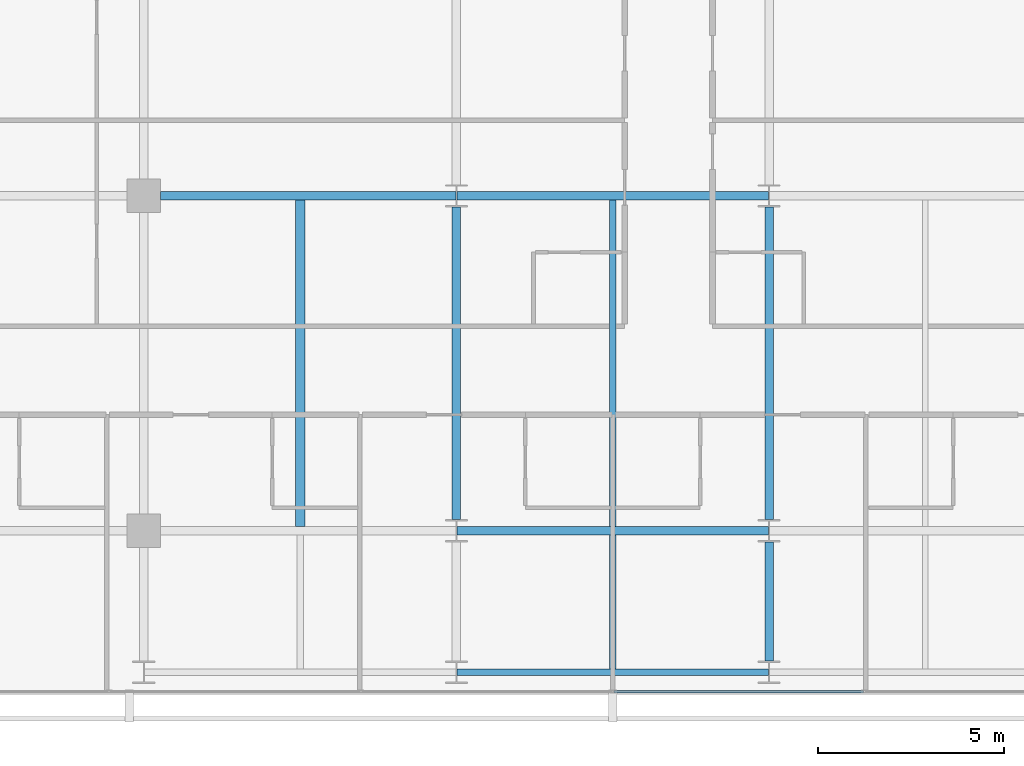
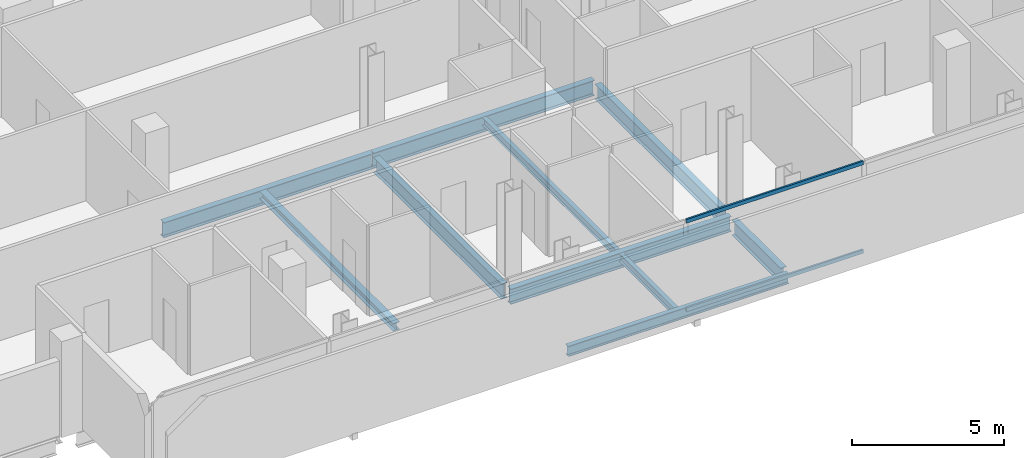
# One storey, part 7 of 33: 10 beams, 2 members, 1 element without a shape of its own.
"""IFC4 building model written with IfcOpenShell, lengths in metres."""

from ifc_helpers import new_model, si_unit, direction, frame, origin, origin_2d, place, context, subcontext, project, spatial, hollow_rectangle, i_section, extrude, material, layer, layer_set, material_profile, profile_set, type_object, element, aggregate, save


model = new_model("IFC4")

# Units and contexts
model_context = context("Model", 3, precision=1e-05, world=origin(), true_north=direction((0.0, 1.0)))
body_context = subcontext(model_context, "Body", "Model", "MODEL_VIEW")
ifc_project = project(units=[si_unit("LENGTHUNIT", "METRE"), si_unit("AREAUNIT", "SQUARE_METRE"), si_unit("VOLUMEUNIT", "CUBIC_METRE"), si_unit("PLANEANGLEUNIT", "RADIAN"), si_unit("MASSUNIT", "GRAM", prefix="KILO")], contexts=[model_context])

# Site, building, storey
site_placement = place(None, origin())
site = spatial("IfcSite", under=ifc_project, at=site_placement, CompositionType="ELEMENT")
building_placement = place(site_placement, origin())
building = spatial("IfcBuilding", under=site, at=building_placement, Name="Maruvema Waterfront Hotel and Observation Tower", CompositionType="ELEMENT")
storey_placement = place(building_placement, frame((0.0, 0.0, 154.35009765625)))
storey = spatial("IfcBuildingStorey", under=building, at=storey_placement, Name="L37", CompositionType="ELEMENT", Elevation=154.35009765625)

# Curtain wall, members
ifc_material_1 = material(Name="Anodised bronze aluminium and solar-control low-E IGU", Category="aluminium")
ifc_layer = layer(ifc_material_1, 0.159912109375, Name="Zone 2 Amber Inner Thermal Curtain Wall System CW-03")
ifc_layer_set = layer_set([ifc_layer], Name="Anodised bronze aluminium and solar-control low-E IGU")
curtain_wall_type = type_object("IfcCurtainWallType", Name="Zone 2 Amber Inner Thermal Curtain Wall System CW-03", PredefinedType="USERDEFINED", material=ifc_layer_set)
curtain_wall_placement = place(storey_placement, origin())
curtain_wall = element("IfcCurtainWall", 1, at=curtain_wall_placement, inside=storey, type_object=curtain_wall_type, Name="L37 Curtain Wall CW-L37-S", ObjectType="UNITISED CURTAIN WALL", PredefinedType="USERDEFINED")
ifc_material_2 = material(Name="Anodised architectural bronze aluminium", Category="aluminium")
ifc_material_profile_1 = material_profile(ifc_material_2, hollow_rectangle(XDim=0.070068359375, YDim=0.14990234375, WallThickness=0.00390625, at=origin_2d()), Name="ALU-T70x150")
ifc_profile_set_1 = profile_set([ifc_material_profile_1], Name="Anodised architectural bronze aluminium")
member_type = type_object("IfcMemberType", Name="Curtain Wall Horizontal Transom ALU-T70x150", PredefinedType="USERDEFINED", material=ifc_profile_set_1)
member_1_placement = place(storey_placement, frame((37.830078125, 4.679931640625, 0.02978515625), z_axis=(1.0, 0.0, 0.0), x_axis=(0.0, 1.0, 0.0)))
member_1 = element("IfcMember", 2, at=member_1_placement, type_object=member_type, Name="CW-03 transom 4.1", ObjectType="TRANSOM", PredefinedType="USERDEFINED", context=body_context, shape_type="SweptSolid", body=[
    extrude(hollow_rectangle(XDim=0.070068359375, YDim=0.14990234375, WallThickness=0.00390625, at=origin_2d()), origin(), (0.0, 0.0, 1.0), 6.70654296875),
])
member_2_placement = place(storey_placement, frame((37.830078125, 4.679931640625, 3.579833984375), z_axis=(1.0, 0.0, 0.0), x_axis=(0.0, 1.0, 0.0)))
member_2 = element("IfcMember", 3, at=member_2_placement, type_object=member_type, Name="CW-03 transom 4.2", ObjectType="TRANSOM", PredefinedType="USERDEFINED", context=body_context, shape_type="SweptSolid", body=[
    extrude(hollow_rectangle(XDim=0.070068359375, YDim=0.14990234375, WallThickness=0.00390625, at=origin_2d()), origin(), (0.0, 0.0, 1.0), 6.70654296875),
])
aggregate(curtain_wall, [member_1, member_2])

# Beams
ifc_material_3 = material(Name="Steel ASTM A572 Grade 50", Category="steel")
ifc_material_profile_2 = material_profile(ifc_material_3, i_section(OverallWidth=0.180908203125, OverallDepth=0.4169921875, WebThickness=0.010986328125, FlangeThickness=0.018310546875, FilletRadius=0.014892578125, at=origin_2d()), Name="W410x85.0")
ifc_profile_set_2 = profile_set([ifc_material_profile_2], Name="Steel ASTM A572 Grade 50")
beam_type_1 = type_object("IfcBeamType", Name="Perimeter Spandrel Beam W410x85.0", PredefinedType="SPANDREL", material=ifc_profile_set_2)
beam_1_placement = place(storey_placement, frame((33.612548828125, 5.199951171875, -0.448486328125), z_axis=(1.0, 0.0, 0.0), x_axis=(0.0, 1.0, 0.0)))
element("IfcBeam", 4, at=beam_1_placement, inside=storey, type_object=beam_type_1, Name="L37 Floor Girder EW-02", PredefinedType="SPANDREL", context=body_context, shape_type="SweptSolid", body=[
    extrude(i_section(OverallWidth=0.180908203125, OverallDepth=0.4169921875, WebThickness=0.010986328125, FlangeThickness=0.018310546875, FilletRadius=0.014892578125, at=origin_2d()), origin(), (0.0, 0.0, 1.0), 8.375),
])
ifc_material_4 = material(Name="Steel ASTM A572 Grade 50", Category="steel")
ifc_material_profile_3 = material_profile(ifc_material_4, i_section(OverallWidth=0.22900390625, OverallDepth=0.612060546875, WebThickness=0.011962890625, FlangeThickness=0.01953125, FilletRadius=0.01806640625, at=origin_2d()), Name="W610x125.0")
ifc_profile_set_3 = profile_set([ifc_material_profile_3], Name="Steel ASTM A572 Grade 50")
beam_type_2 = type_object("IfcBeamType", Name="Primary Floor Girder W610x125.0", PredefinedType="BEAM", material=ifc_profile_set_3)
beam_2_placement = place(storey_placement, frame((33.612548828125, 9.0, -0.546142578125), z_axis=(1.0, 0.0, 0.0), x_axis=(0.0, 1.0, 0.0)))
element("IfcBeam", 5, at=beam_2_placement, inside=storey, type_object=beam_type_2, Name="L37 Floor Girder EW-07", PredefinedType="BEAM", context=body_context, shape_type="SweptSolid", body=[
    extrude(i_section(OverallWidth=0.22900390625, OverallDepth=0.612060546875, WebThickness=0.011962890625, FlangeThickness=0.01953125, FilletRadius=0.01806640625, at=origin_2d()), origin(), (0.0, 0.0, 1.0), 8.375),
])
beam_3_placement = place(storey_placement, frame((25.64990234375, 18.0, -0.546142578125), z_axis=(1.0, 0.0, 0.0), x_axis=(0.0, 1.0, 0.0)))
element("IfcBeam", 6, at=beam_3_placement, inside=storey, type_object=beam_type_2, Name="L37 Floor Girder EW-13", PredefinedType="BEAM", context=body_context, shape_type="SweptSolid", body=[
    extrude(i_section(OverallWidth=0.22900390625, OverallDepth=0.612060546875, WebThickness=0.011962890625, FlangeThickness=0.01953125, FilletRadius=0.01806640625, at=origin_2d()), origin(), (0.0, 0.0, 1.0), 7.9375),
])
beam_4_placement = place(storey_placement, frame((33.612548828125, 18.0, -0.546142578125), z_axis=(1.0, 0.0, 0.0), x_axis=(0.0, 1.0, 0.0)))
element("IfcBeam", 7, at=beam_4_placement, inside=storey, type_object=beam_type_2, Name="L37 Floor Girder EW-14", PredefinedType="BEAM", context=body_context, shape_type="SweptSolid", body=[
    extrude(i_section(OverallWidth=0.22900390625, OverallDepth=0.612060546875, WebThickness=0.011962890625, FlangeThickness=0.01953125, FilletRadius=0.01806640625, at=origin_2d()), origin(), (0.0, 0.0, 1.0), 8.375),
])
beam_5_placement = place(storey_placement, frame((33.60009765625, 9.300048828125, -0.546142578125), z_axis=(0.0, 1.0, 0.0), x_axis=(-1.0, 0.0, 0.0)))
element("IfcBeam", 8, at=beam_5_placement, inside=storey, type_object=beam_type_2, Name="L37 Floor Girder NS-15", PredefinedType="BEAM", context=body_context, shape_type="SweptSolid", body=[
    extrude(i_section(OverallWidth=0.22900390625, OverallDepth=0.612060546875, WebThickness=0.011962890625, FlangeThickness=0.01953125, FilletRadius=0.01806640625, at=origin_2d()), origin(), (0.0, 0.0, 1.0), 8.39990234375),
])
beam_6_placement = place(storey_placement, frame((42.0, 5.5, -0.546142578125), z_axis=(0.0, 1.0, 0.0), x_axis=(-1.0, 0.0, 0.0)))
element("IfcBeam", 9, at=beam_6_placement, inside=storey, type_object=beam_type_2, Name="L37 Floor Girder NS-17", PredefinedType="BEAM", context=body_context, shape_type="SweptSolid", body=[
    extrude(i_section(OverallWidth=0.22900390625, OverallDepth=0.612060546875, WebThickness=0.011962890625, FlangeThickness=0.01953125, FilletRadius=0.01806640625, at=origin_2d()), origin(), (0.0, 0.0, 1.0), 3.199951171875),
])
beam_7_placement = place(storey_placement, frame((42.0, 9.300048828125, -0.546142578125), z_axis=(0.0, 1.0, 0.0), x_axis=(-1.0, 0.0, 0.0)))
element("IfcBeam", 10, at=beam_7_placement, inside=storey, type_object=beam_type_2, Name="L37 Floor Girder NS-18", PredefinedType="BEAM", context=body_context, shape_type="SweptSolid", body=[
    extrude(i_section(OverallWidth=0.22900390625, OverallDepth=0.612060546875, WebThickness=0.011962890625, FlangeThickness=0.01953125, FilletRadius=0.01806640625, at=origin_2d()), origin(), (0.0, 0.0, 1.0), 8.39990234375),
])
ifc_material_5 = material(Name="Steel ASTM A572 Grade 50", Category="steel")
ifc_material_profile_4 = material_profile(ifc_material_5, i_section(OverallWidth=0.1650390625, OverallDepth=0.31005859375, WebThickness=0.005859375, FlangeThickness=0.009765625, FilletRadius=0.012939453125, at=origin_2d()), Name="W310x38.7")
ifc_profile_set_4 = profile_set([ifc_material_profile_4], Name="Steel ASTM A572 Grade 50")
beam_type_3 = type_object("IfcBeamType", Name="Secondary Floor Joist W310x38.7", PredefinedType="JOIST", material=ifc_profile_set_4)
beam_8_placement = place(storey_placement, frame((37.800048828125, 9.114501953125, -0.39501953125), z_axis=(0.0, 1.0, 0.0), x_axis=(-1.0, 0.0, 0.0)))
element("IfcBeam", 11, at=beam_8_placement, inside=storey, type_object=beam_type_3, Name="L37 Secondary Floor Joist JS-08", PredefinedType="JOIST", context=body_context, shape_type="SweptSolid", body=[
    extrude(i_section(OverallWidth=0.1650390625, OverallDepth=0.31005859375, WebThickness=0.005859375, FlangeThickness=0.009765625, FilletRadius=0.012939453125, at=origin_2d()), origin(), (0.0, 0.0, 1.0), 8.77099609375),
])
ifc_material_6 = material(Name="Steel ASTM A572 Grade 50", Category="steel")
ifc_material_profile_5 = material_profile(ifc_material_6, i_section(OverallWidth=0.1669921875, OverallDepth=0.31689453125, WebThickness=0.007568359375, FlangeThickness=0.01318359375, FilletRadius=0.012939453125, at=origin_2d()), Name="W310x52.0")
ifc_profile_set_5 = profile_set([ifc_material_profile_5], Name="Steel ASTM A572 Grade 50")
beam_type_4 = type_object("IfcBeamType", Name="Secondary Floor Joist W310x52.0", PredefinedType="JOIST", material=ifc_profile_set_5)
beam_9_placement = place(storey_placement, frame((37.800048828125, 5.29052734375, -0.398681640625), z_axis=(0.0, 1.0, 0.0), x_axis=(-1.0, 0.0, 0.0)))
element("IfcBeam", 12, at=beam_9_placement, inside=storey, type_object=beam_type_4, Name="L37 Secondary Floor Joist JS-07", PredefinedType="JOIST", context=body_context, shape_type="SweptSolid", body=[
    extrude(i_section(OverallWidth=0.1669921875, OverallDepth=0.31689453125, WebThickness=0.007568359375, FlangeThickness=0.01318359375, FilletRadius=0.012939453125, at=origin_2d()), origin(), (0.0, 0.0, 1.0), 3.594970703125),
])
ifc_material_7 = material(Name="Steel ASTM A572 Grade 50", Category="steel")
ifc_material_profile_6 = material_profile(ifc_material_7, i_section(OverallWidth=0.25390625, OverallDepth=0.305908203125, WebThickness=0.0087890625, FlangeThickness=0.0146484375, FilletRadius=0.014892578125, at=origin_2d()), Name="W310x79.0")
ifc_profile_set_6 = profile_set([ifc_material_profile_6], Name="Steel ASTM A572 Grade 50")
beam_type_5 = type_object("IfcBeamType", Name="Secondary Floor Joist W310x79.0", PredefinedType="JOIST", material=ifc_profile_set_6)
beam_10_placement = place(storey_placement, frame((29.39990234375, 9.114501953125, -0.39306640625), z_axis=(0.0, 1.0, 0.0), x_axis=(-1.0, 0.0, 0.0)))
element("IfcBeam", 13, at=beam_10_placement, inside=storey, type_object=beam_type_5, Name="L37 Secondary Floor Joist JS-06", PredefinedType="JOIST", context=body_context, shape_type="SweptSolid", body=[
    extrude(i_section(OverallWidth=0.25390625, OverallDepth=0.305908203125, WebThickness=0.0087890625, FlangeThickness=0.0146484375, FilletRadius=0.014892578125, at=origin_2d()), origin(), (0.0, 0.0, 1.0), 8.77099609375),
])

save(model, "model.ifc")
